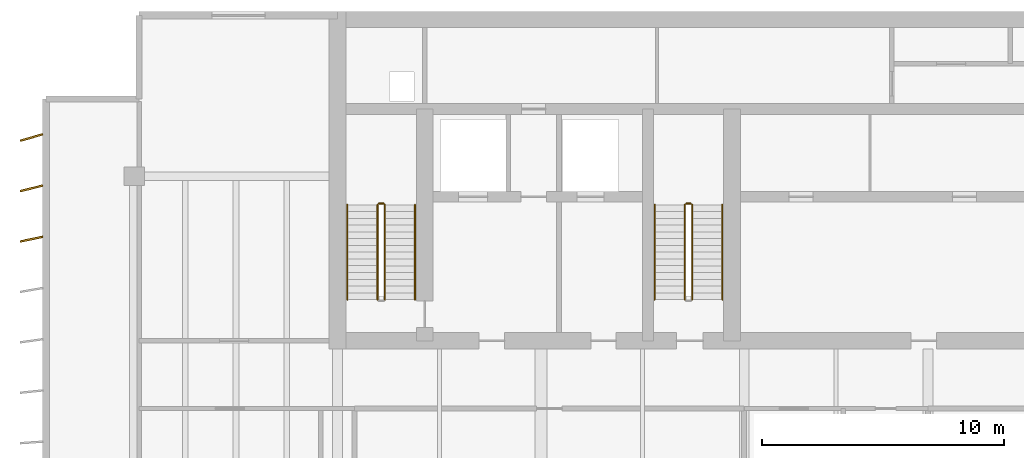
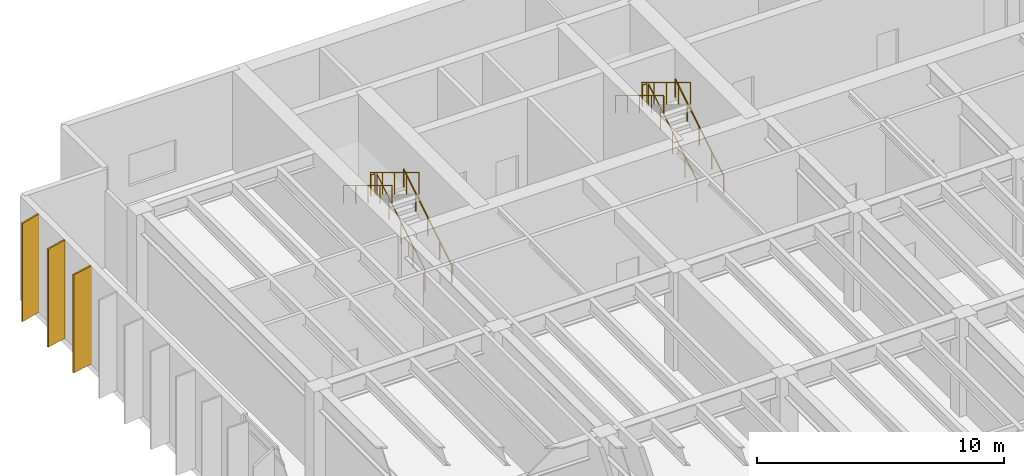
# One storey, part 22 of 23: 10 railings, 3 shading devices.
"""IFC4 building model written with IfcOpenShell, lengths in metres."""

from ifc_helpers import new_model, si_unit, direction, frame, origin, origin_2d, place, context, subcontext, project, spatial, rectangle, circle, extrude, material, material_profile, profile_set, type_object, element, save


model = new_model("IFC4")

# Units and contexts
model_context = context("Model", 3, precision=1e-05, world=origin(), true_north=direction((0.0, 1.0)))
body_context = subcontext(model_context, "Body", "Model", "MODEL_VIEW")
ifc_project = project(units=[si_unit("LENGTHUNIT", "METRE"), si_unit("AREAUNIT", "SQUARE_METRE"), si_unit("VOLUMEUNIT", "CUBIC_METRE"), si_unit("PLANEANGLEUNIT", "RADIAN"), si_unit("MASSUNIT", "GRAM", prefix="KILO")], contexts=[model_context])

# Site, building, storey
site_placement = place(None, origin())
site = spatial("IfcSite", under=ifc_project, at=site_placement, CompositionType="ELEMENT")
building_placement = place(site_placement, origin())
building = spatial("IfcBuilding", under=site, at=building_placement, Name="Caelmar Bay Residences", CompositionType="ELEMENT")
storey_placement = place(building_placement, frame((0.0, 0.0, 221.39990234375)))
storey = spatial("IfcBuildingStorey", under=building, at=storey_placement, Name="L62", CompositionType="ELEMENT", Elevation=221.39990234375)

# Railings
ifc_material_1 = material(Name="Painted galvanized steel stair guard 1100 mm", Category="steel")
railing_type_1 = type_object("IfcRailingType", Name="RL-GRD-1100", PredefinedType="GUARDRAIL", material=ifc_material_1)
railing_1_placement = place(storey_placement, frame((20.25, 38.699951171875, 0.170166015625)))
element("IfcRailing", 1, at=railing_1_placement, inside=storey, type_object=railing_type_1, Name="L62 ST1 stair guard 1", PredefinedType="GUARDRAIL", context=body_context, shape_type="SweptSolid", body=[
    extrude(circle(Radius=0.02392578125, at=origin_2d()), frame((0.0, 0.0, 1.076171875), z_axis=(0.0, 0.854808600491, 0.518943403973), x_axis=(-1.0, 0.0, 0.0)), (0.0, 0.0, 1.0), 4.5859375),
    extrude(circle(Radius=0.02099609375, at=origin_2d()), origin(), (0.0, 0.0, 1.0), 1.052001953125),
    extrude(circle(Radius=0.02099609375, at=origin_2d()), frame((0.0, 0.97998046875, 0.594970703125)), (0.0, 0.0, 1.0), 1.052001953125),
    extrude(circle(Radius=0.02099609375, at=origin_2d()), frame((0.0, 1.9599609375, 1.18994140625)), (0.0, 0.0, 1.0), 1.052001953125),
    extrude(circle(Radius=0.02099609375, at=origin_2d()), frame((0.0, 2.940185546875, 1.784912109375)), (0.0, 0.0, 1.0), 1.052001953125),
    extrude(circle(Radius=0.02099609375, at=origin_2d()), frame((0.0, 3.920166015625, 2.3798828125)), (0.0, 0.0, 1.0), 1.052001953125),
])
railing_2_placement = place(storey_placement, frame((20.199951171875, 42.669921875, 2.550048828125)))
element("IfcRailing", 2, at=railing_2_placement, inside=storey, type_object=railing_type_1, Name="L62 ST1 stair guard 2", PredefinedType="GUARDRAIL", context=body_context, shape_type="SweptSolid", body=[
    extrude(circle(Radius=0.02392578125, at=origin_2d()), frame((0.0, 0.0, 1.076171875), z_axis=(-1.0, 0.0, 0.0), x_axis=(0.0, -1.0, 0.0)), (0.0, 0.0, 1.0), 0.199951171875),
    extrude(circle(Radius=0.02099609375, at=origin_2d()), origin(), (0.0, 0.0, 1.0), 1.052001953125),
    extrude(circle(Radius=0.02099609375, at=origin_2d()), frame((-0.199951171875, 0.0, 0.0)), (0.0, 0.0, 1.0), 1.052001953125),
])
railing_3_placement = place(storey_placement, frame((19.949951171875, 42.6201171875, 2.72021484375)))
element("IfcRailing", 3, at=railing_3_placement, inside=storey, type_object=railing_type_1, Name="L62 ST1 stair guard 3", PredefinedType="GUARDRAIL", context=body_context, shape_type="SweptSolid", body=[
    extrude(circle(Radius=0.02392578125, at=origin_2d()), frame((0.0, 0.0, 1.076171875), z_axis=(0.0, -0.854808600491, 0.518943403973), x_axis=(1.0, 0.0, 0.0)), (0.0, 0.0, 1.0), 4.5859375),
    extrude(circle(Radius=0.02099609375, at=origin_2d()), origin(), (0.0, 0.0, 1.0), 1.052001953125),
    extrude(circle(Radius=0.02099609375, at=origin_2d()), frame((0.0, -0.97998046875, 0.594970703125)), (0.0, 0.0, 1.0), 1.052001953125),
    extrude(circle(Radius=0.02099609375, at=origin_2d()), frame((0.0, -1.9599609375, 1.18994140625)), (0.0, 0.0, 1.0), 1.052001953125),
    extrude(circle(Radius=0.02099609375, at=origin_2d()), frame((0.0, -2.940185546875, 1.784912109375)), (0.0, 0.0, 1.0), 1.052001953125),
    extrude(circle(Radius=0.02099609375, at=origin_2d()), frame((0.0, -3.920166015625, 2.3798828125)), (0.0, 0.0, 1.0), 1.052001953125),
])
railing_4_placement = place(storey_placement, frame((32.949951171875, 38.699951171875, 0.170166015625)))
element("IfcRailing", 4, at=railing_4_placement, inside=storey, type_object=railing_type_1, Name="L62 ST3 stair guard 1", PredefinedType="GUARDRAIL", context=body_context, shape_type="SweptSolid", body=[
    extrude(circle(Radius=0.02392578125, at=origin_2d()), frame((0.0, 0.0, 1.076171875), z_axis=(0.0, 0.854808600491, 0.518943403973), x_axis=(-1.0, 0.0, 0.0)), (0.0, 0.0, 1.0), 4.5859375),
    extrude(circle(Radius=0.02099609375, at=origin_2d()), origin(), (0.0, 0.0, 1.0), 1.052001953125),
    extrude(circle(Radius=0.02099609375, at=origin_2d()), frame((0.0, 0.97998046875, 0.594970703125)), (0.0, 0.0, 1.0), 1.052001953125),
    extrude(circle(Radius=0.02099609375, at=origin_2d()), frame((0.0, 1.9599609375, 1.18994140625)), (0.0, 0.0, 1.0), 1.052001953125),
    extrude(circle(Radius=0.02099609375, at=origin_2d()), frame((0.0, 2.940185546875, 1.784912109375)), (0.0, 0.0, 1.0), 1.052001953125),
    extrude(circle(Radius=0.02099609375, at=origin_2d()), frame((0.0, 3.920166015625, 2.3798828125)), (0.0, 0.0, 1.0), 1.052001953125),
])
railing_5_placement = place(storey_placement, frame((32.89990234375, 42.669921875, 2.550048828125)))
element("IfcRailing", 5, at=railing_5_placement, inside=storey, type_object=railing_type_1, Name="L62 ST3 stair guard 2", PredefinedType="GUARDRAIL", context=body_context, shape_type="SweptSolid", body=[
    extrude(circle(Radius=0.02392578125, at=origin_2d()), frame((0.0, 0.0, 1.076171875), z_axis=(-1.0, 0.0, 0.0), x_axis=(0.0, -1.0, 0.0)), (0.0, 0.0, 1.0), 0.199951171875),
    extrude(circle(Radius=0.02099609375, at=origin_2d()), origin(), (0.0, 0.0, 1.0), 1.052001953125),
    extrude(circle(Radius=0.02099609375, at=origin_2d()), frame((-0.199951171875, 0.0, 0.0)), (0.0, 0.0, 1.0), 1.052001953125),
])
railing_6_placement = place(storey_placement, frame((32.64990234375, 42.6201171875, 2.72021484375)))
element("IfcRailing", 6, at=railing_6_placement, inside=storey, type_object=railing_type_1, Name="L62 ST3 stair guard 3", PredefinedType="GUARDRAIL", context=body_context, shape_type="SweptSolid", body=[
    extrude(circle(Radius=0.02392578125, at=origin_2d()), frame((0.0, 0.0, 1.076171875), z_axis=(0.0, -0.854808600491, 0.518943403973), x_axis=(1.0, 0.0, 0.0)), (0.0, 0.0, 1.0), 4.5859375),
    extrude(circle(Radius=0.02099609375, at=origin_2d()), origin(), (0.0, 0.0, 1.0), 1.052001953125),
    extrude(circle(Radius=0.02099609375, at=origin_2d()), frame((0.0, -0.97998046875, 0.594970703125)), (0.0, 0.0, 1.0), 1.052001953125),
    extrude(circle(Radius=0.02099609375, at=origin_2d()), frame((0.0, -1.9599609375, 1.18994140625)), (0.0, 0.0, 1.0), 1.052001953125),
    extrude(circle(Radius=0.02099609375, at=origin_2d()), frame((0.0, -2.940185546875, 1.784912109375)), (0.0, 0.0, 1.0), 1.052001953125),
    extrude(circle(Radius=0.02099609375, at=origin_2d()), frame((0.0, -3.920166015625, 2.3798828125)), (0.0, 0.0, 1.0), 1.052001953125),
])
ifc_material_2 = material(Name="Brushed bronze stainless-steel tubular handrail 900 mm", Category="steel")
railing_type_2 = type_object("IfcRailingType", Name="RL-HND-900", PredefinedType="HANDRAIL", material=ifc_material_2)
railing_7_placement = place(storey_placement, frame((21.5, 38.699951171875, 0.170166015625)))
element("IfcRailing", 7, at=railing_7_placement, inside=storey, type_object=railing_type_2, Name="L62 ST1 stair handrail 1", PredefinedType="HANDRAIL", context=body_context, shape_type="SweptSolid", body=[
    extrude(circle(Radius=0.02392578125, at=origin_2d()), frame((0.0, 0.0, 0.8759765625), z_axis=(0.0, 0.854808600491, 0.518943403973), x_axis=(-1.0, 0.0, 0.0)), (0.0, 0.0, 1.0), 4.5859375),
    extrude(circle(Radius=0.02099609375, at=origin_2d()), origin(), (0.0, 0.0, 1.0), 0.851806640625),
    extrude(circle(Radius=0.02099609375, at=origin_2d()), frame((0.0, 0.97998046875, 0.594970703125)), (0.0, 0.0, 1.0), 0.851806640625),
    extrude(circle(Radius=0.02099609375, at=origin_2d()), frame((0.0, 1.9599609375, 1.18994140625)), (0.0, 0.0, 1.0), 0.851806640625),
    extrude(circle(Radius=0.02099609375, at=origin_2d()), frame((0.0, 2.940185546875, 1.784912109375)), (0.0, 0.0, 1.0), 0.851806640625),
    extrude(circle(Radius=0.02099609375, at=origin_2d()), frame((0.0, 3.920166015625, 2.3798828125)), (0.0, 0.0, 1.0), 0.851806640625),
])
railing_8_placement = place(storey_placement, frame((18.699951171875, 42.6201171875, 2.72021484375)))
element("IfcRailing", 8, at=railing_8_placement, inside=storey, type_object=railing_type_2, Name="L62 ST1 stair handrail 2", PredefinedType="HANDRAIL", context=body_context, shape_type="SweptSolid", body=[
    extrude(circle(Radius=0.02392578125, at=origin_2d()), frame((0.0, 0.0, 0.8759765625), z_axis=(0.0, -0.854808600491, 0.518943403973), x_axis=(1.0, 0.0, 0.0)), (0.0, 0.0, 1.0), 4.5859375),
    extrude(circle(Radius=0.02099609375, at=origin_2d()), origin(), (0.0, 0.0, 1.0), 0.851806640625),
    extrude(circle(Radius=0.02099609375, at=origin_2d()), frame((0.0, -0.97998046875, 0.594970703125)), (0.0, 0.0, 1.0), 0.851806640625),
    extrude(circle(Radius=0.02099609375, at=origin_2d()), frame((0.0, -1.9599609375, 1.18994140625)), (0.0, 0.0, 1.0), 0.851806640625),
    extrude(circle(Radius=0.02099609375, at=origin_2d()), frame((0.0, -2.940185546875, 1.784912109375)), (0.0, 0.0, 1.0), 0.851806640625),
    extrude(circle(Radius=0.02099609375, at=origin_2d()), frame((0.0, -3.920166015625, 2.3798828125)), (0.0, 0.0, 1.0), 0.851806640625),
])
railing_9_placement = place(storey_placement, frame((34.199951171875, 38.699951171875, 0.170166015625)))
element("IfcRailing", 9, at=railing_9_placement, inside=storey, type_object=railing_type_2, Name="L62 ST3 stair handrail 1", PredefinedType="HANDRAIL", context=body_context, shape_type="SweptSolid", body=[
    extrude(circle(Radius=0.02392578125, at=origin_2d()), frame((0.0, 0.0, 0.8759765625), z_axis=(0.0, 0.854808600491, 0.518943403973), x_axis=(-1.0, 0.0, 0.0)), (0.0, 0.0, 1.0), 4.5859375),
    extrude(circle(Radius=0.02099609375, at=origin_2d()), origin(), (0.0, 0.0, 1.0), 0.851806640625),
    extrude(circle(Radius=0.02099609375, at=origin_2d()), frame((0.0, 0.97998046875, 0.594970703125)), (0.0, 0.0, 1.0), 0.851806640625),
    extrude(circle(Radius=0.02099609375, at=origin_2d()), frame((0.0, 1.9599609375, 1.18994140625)), (0.0, 0.0, 1.0), 0.851806640625),
    extrude(circle(Radius=0.02099609375, at=origin_2d()), frame((0.0, 2.940185546875, 1.784912109375)), (0.0, 0.0, 1.0), 0.851806640625),
    extrude(circle(Radius=0.02099609375, at=origin_2d()), frame((0.0, 3.920166015625, 2.3798828125)), (0.0, 0.0, 1.0), 0.851806640625),
])
railing_10_placement = place(storey_placement, frame((31.39990234375, 42.6201171875, 2.72021484375)))
element("IfcRailing", 10, at=railing_10_placement, inside=storey, type_object=railing_type_2, Name="L62 ST3 stair handrail 2", PredefinedType="HANDRAIL", context=body_context, shape_type="SweptSolid", body=[
    extrude(circle(Radius=0.02392578125, at=origin_2d()), frame((0.0, 0.0, 0.8759765625), z_axis=(0.0, -0.854808600491, 0.518943403973), x_axis=(1.0, 0.0, 0.0)), (0.0, 0.0, 1.0), 4.5859375),
    extrude(circle(Radius=0.02099609375, at=origin_2d()), origin(), (0.0, 0.0, 1.0), 0.851806640625),
    extrude(circle(Radius=0.02099609375, at=origin_2d()), frame((0.0, -0.97998046875, 0.594970703125)), (0.0, 0.0, 1.0), 0.851806640625),
    extrude(circle(Radius=0.02099609375, at=origin_2d()), frame((0.0, -1.9599609375, 1.18994140625)), (0.0, 0.0, 1.0), 0.851806640625),
    extrude(circle(Radius=0.02099609375, at=origin_2d()), frame((0.0, -2.940185546875, 1.784912109375)), (0.0, 0.0, 1.0), 0.851806640625),
    extrude(circle(Radius=0.02099609375, at=origin_2d()), frame((0.0, -3.920166015625, 2.3798828125)), (0.0, 0.0, 1.0), 0.851806640625),
])

# Shading devices
ifc_material_3 = material(Name="Anodised architectural bronze aluminium 6063-T6", Category="aluminium")
ifc_material_profile = material_profile(ifc_material_3, rectangle(XDim=0.074951171875, YDim=0.949951171875, at=origin_2d()), Name="BRONZE-FIN-75X950")
ifc_profile_set = profile_set([ifc_material_profile], Name="Anodised architectural bronze aluminium 6063-T6")
shading_device_type = type_object("IfcShadingDeviceType", Name="SHD-FIN-950", PredefinedType="USERDEFINED", material=ifc_profile_set)
for number, where, z_axis, x_axis, name in (
    (11, (5.64990234375, 41.199951171875, 0.0), (0.0, 0.0, 1.0), (-0.207911690818, 0.978147600734, 0.0), "L62 West Bronze Solar Fin 15"),
    (12, (5.64990234375, 43.300048828125, 0.0), (0.0, 0.0, 1.0), (-0.2419218956, 0.970295726276, 0.0), "L62 West Bronze Solar Fin 16"),
    (13, (5.64990234375, 45.39990234375, 0.0), (0.0, 0.0, 1.0), (-0.275637355817, 0.961261695938, 0.0), "L62 West Bronze Solar Fin 17"),
):
    element("IfcShadingDevice", number, at=place(storey_placement, frame(where, z_axis=z_axis, x_axis=x_axis)), inside=storey, type_object=shading_device_type, Name=name, ObjectType="FIN", PredefinedType="USERDEFINED", context=body_context, shape_type="SweptSolid", body=[
        extrude(rectangle(XDim=0.074951171875, YDim=0.949951171875, at=origin_2d()), origin(), (0.0, 0.0, 1.0), 4.85009765625),
    ])

save(model, "model.ifc")
